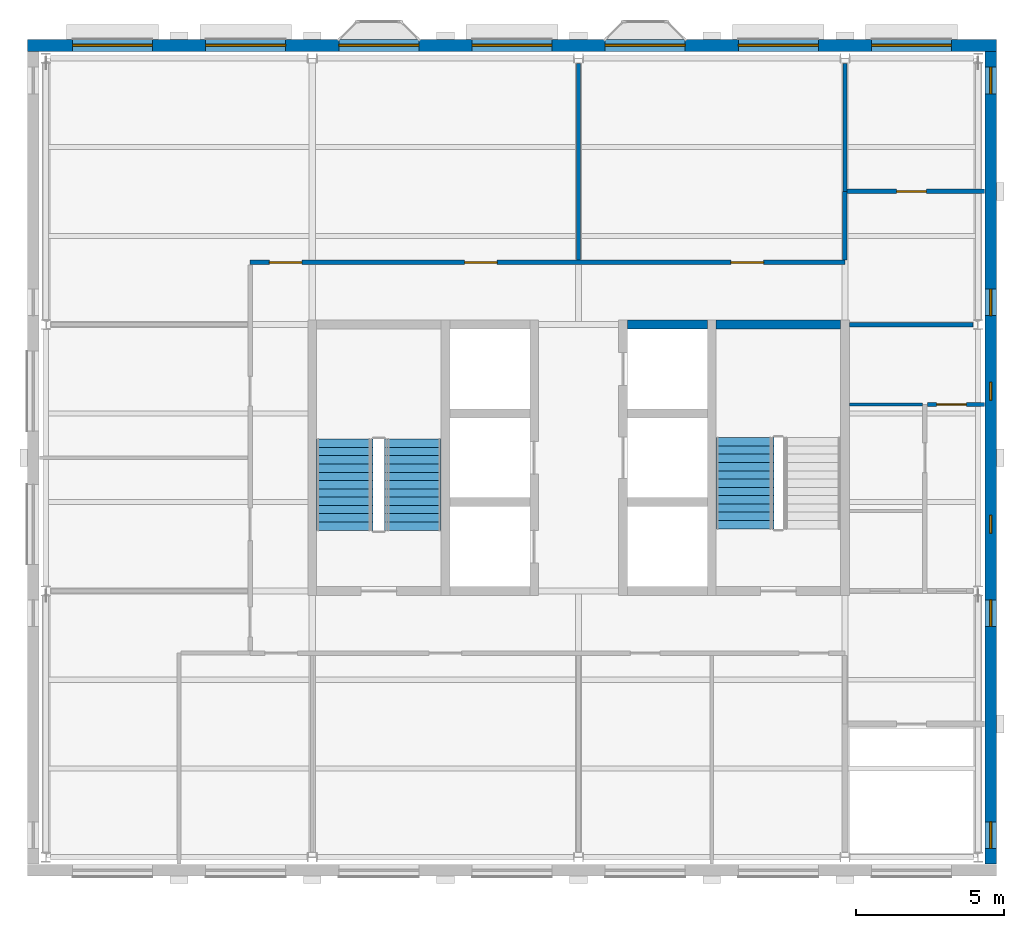
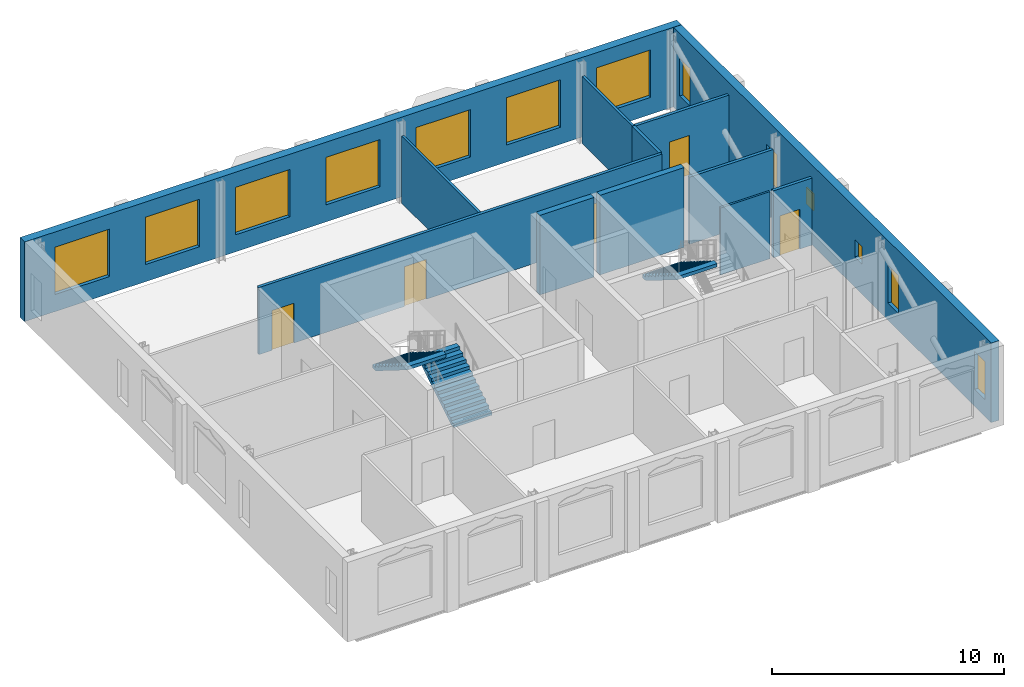
# One storey, part 5 of 9: 13 windows, 12 walls, 5 doors, 3 stair flights, 18 openings, 2 elements without a shape of their own.
"""IFC4 building model written with IfcOpenShell, lengths in metres."""

import ifcopenshell
import ifcopenshell.guid

model = None  # the IFC model being written
_history = None  # IfcOwnerHistory: only IFC2X3 demands one
_inside = {}  # id of a spatial element -> (the spatial element, [elements in it])
_under = {}  # id of a project, library or spatial element -> (it, [spatial elements below it])
_declared = {}  # id of a project -> (the project, [libraries it declares])
_typed = {}  # id of a type object -> (the type object, [elements of that type])
_made_of = {}  # id of a material, layer set ... -> (it, [elements and type objects made of it])


def new_model(schema):
    """Start an empty IFC model of exactly this schema.

    Asked for "IFC4X3", IfcOpenShell would pick the latest addendum, in which some entities
    have other attributes; the version numbers below select the first issue.
    IFC2X3 requires an IfcOwnerHistory on every rooted entity: one is made here for all.
    """
    global model, _history
    if schema == "IFC4X3":
        model = ifcopenshell.file(schema_version=(4, 3, 0, 0))
    else:
        model = ifcopenshell.file(schema=schema)
    _inside.clear()
    _under.clear()
    _declared.clear()
    _typed.clear()
    _made_of.clear()
    _history = None
    if model.schema == "IFC2X3":
        org = make("IfcOrganization", Name="unknown")
        user = make(
            "IfcPersonAndOrganization",
            ThePerson=make("IfcPerson", FamilyName="unknown"),
            TheOrganization=org,
        )
        app = make(
            "IfcApplication",
            ApplicationDeveloper=org,
            Version="unknown",
            ApplicationFullName="unknown",
            ApplicationIdentifier="unknown",
        )
        _history = make(
            "IfcOwnerHistory",
            OwningUser=user,
            OwningApplication=app,
            ChangeAction="ADDED",
            CreationDate=0,
        )
    return model


def make(cls, **values):
    """One entity of the class cls with the attributes given. An attribute that is None is left unset."""
    return model.create_entity(
        cls, **{name: value for name, value in values.items() if value is not None}
    )


def rooted(cls, **values):
    """An entity with a GlobalId (a new one), such as an element, a storey or a relation."""
    return make(cls, GlobalId=ifcopenshell.guid.new(), OwnerHistory=_history, **values)


def si_unit(unit_type, name, prefix=None):
    """IfcSIUnit, for example si_unit("LENGTHUNIT", "METRE", prefix="MILLI")."""
    return make("IfcSIUnit", UnitType=unit_type, Prefix=prefix, Name=name)


def assignment(units):
    """IfcUnitAssignment: the units of a project."""
    return None if units is None else make("IfcUnitAssignment", Units=units)


def point(xyz):
    """IfcCartesianPoint."""
    return None if xyz is None else make("IfcCartesianPoint", Coordinates=xyz)


def direction(xyz):
    """IfcDirection."""
    return None if xyz is None else make("IfcDirection", DirectionRatios=xyz)


def frame(location, z_axis=None, x_axis=None):
    """IfcAxis2Placement3D, a coordinate frame: its origin and axes. An axis left out is left unset."""
    return make(
        "IfcAxis2Placement3D",
        Location=point(location),
        Axis=direction(z_axis),
        RefDirection=direction(x_axis),
    )


def frame_2d(location, x_axis=None):
    """IfcAxis2Placement2D, a coordinate frame in the plane: its origin and x axis."""
    return make(
        "IfcAxis2Placement2D", Location=point(location), RefDirection=direction(x_axis)
    )


def origin():
    """The frame at (0, 0, 0) with its axes left unset."""
    return frame((0.0, 0.0, 0.0))


def place(relative_to, where):
    """IfcLocalPlacement: puts the frame where relative to a parent placement (None: the world)."""
    return make(
        "IfcLocalPlacement", PlacementRelTo=relative_to, RelativePlacement=where
    )


def context(
    kind, dimensions, precision=None, world=None, true_north=None, identifier=None
):
    """IfcGeometricRepresentationContext, for example the 3D "Model" context."""
    return make(
        "IfcGeometricRepresentationContext",
        ContextIdentifier=identifier,
        ContextType=kind,
        CoordinateSpaceDimension=dimensions,
        Precision=precision,
        WorldCoordinateSystem=world,
        TrueNorth=true_north,
    )


def subcontext(parent, identifier, kind, view, scale=None):
    """IfcGeometricRepresentationSubContext, for example "Body" below "Model"."""
    return make(
        "IfcGeometricRepresentationSubContext",
        ContextIdentifier=identifier,
        ContextType=kind,
        ParentContext=parent,
        TargetScale=scale,
        TargetView=view,
    )


def project(units=None, contexts=None):
    """IfcProject with its units and contexts."""
    return rooted(
        "IfcProject",
        Name="project",
        RepresentationContexts=contexts,
        UnitsInContext=assignment(units),
    )


def spatial(cls, under=None, at=None, **own):
    """A site, building, storey or space (cls), placed at a placement, below another one or the project."""
    s = rooted(cls, ObjectPlacement=at, **own)
    if under is not None:
        _under.setdefault(under.id(), (under, []))[1].append(s)
    return s


def polyline(points):
    """IfcPolyline through the points."""
    return make("IfcPolyline", Points=[point(p) for p in points])


def profile(cls, at=None, kind="AREA", **sizes):
    """A parametric profile (cls). Its sizes go by their IFC names, for example OverallWidth=200.0."""
    return make(cls, ProfileType=kind, Position=at, **sizes)


def rectangle(**sizes):
    """IfcRectangleProfileDef."""
    return profile("IfcRectangleProfileDef", **sizes)


def outline(outer, holes=None, kind="AREA"):
    """IfcArbitraryClosedProfileDef: a profile drawn as a closed curve; with holes, ...WithVoids."""
    if holes is None:
        return make("IfcArbitraryClosedProfileDef", ProfileType=kind, OuterCurve=outer)
    return make(
        "IfcArbitraryProfileDefWithVoids",
        ProfileType=kind,
        OuterCurve=outer,
        InnerCurves=holes,
    )


def extrude(swept, where, along, depth):
    """IfcExtrudedAreaSolid: the profile swept, set in the frame where, extruded along a direction by depth."""
    return make(
        "IfcExtrudedAreaSolid",
        SweptArea=swept,
        Position=where,
        ExtrudedDirection=direction(along),
        Depth=depth,
    )


def shape(context_of_items, identifier, shape_type, items):
    """IfcShapeRepresentation: the items that make up one representation, for example the "Body"."""
    return make(
        "IfcShapeRepresentation",
        ContextOfItems=context_of_items,
        RepresentationIdentifier=identifier,
        RepresentationType=shape_type,
        Items=items,
    )


def material(Name=None, Category=None):
    """IfcMaterial."""
    return make("IfcMaterial", Name=Name, Category=Category)


def layer(
    of_material, thickness, ventilated=None, Name=None, Category=None, Priority=None
):
    """IfcMaterialLayer: one layer of a wall or slab, of a material (None: an air gap)."""
    return make(
        "IfcMaterialLayer",
        Material=of_material,
        LayerThickness=thickness,
        IsVentilated=ventilated,
        Name=Name,
        Category=Category,
        Priority=Priority,
    )


def layer_set(layers, Name=None):
    """IfcMaterialLayerSet."""
    return make("IfcMaterialLayerSet", MaterialLayers=layers, LayerSetName=Name)


def made_of(thing, what):
    """Note that an element or type object is made of a material, layer set ...; save() writes the relation."""
    if what is not None:
        _made_of.setdefault(what.id(), (what, []))[1].append(thing)
    return thing


def type_object(cls, material=None, **own):
    """A type object (cls), such as IfcWallType, which elements share."""
    return made_of(rooted(cls, **own), material)


def element(
    cls,
    number,
    at=None,
    inside=None,
    cuts=None,
    type_object=None,
    material=None,
    context=None,
    identifier="Body",
    shape_type=None,
    held_by="IfcProductDefinitionShape",
    body=None,
    shapes=None,
    **own,
):
    """One element of the class cls, such as IfcWall. Its Tag is "e" and its number.

    at: its placement. inside: the storey or other place that contains it. cuts: it is an
    opening in that element (IfcRelVoidsElement). A single representation is given by context,
    identifier, shape_type and body (its items); several are given by shapes. held_by: the class
    of the entity that holds the representations. save() writes the other relations.
    """
    e = rooted(cls, Tag="e%d" % number, ObjectPlacement=at, **own)
    if body is not None:
        shapes = [shape(context, identifier, shape_type, body)]
    if shapes is not None:
        e.Representation = make(held_by, Representations=shapes)
    if inside is not None:
        _inside.setdefault(inside.id(), (inside, []))[1].append(e)
    if cuts is not None:
        rooted(
            "IfcRelVoidsElement", RelatingBuildingElement=cuts, RelatedOpeningElement=e
        )
    if type_object is not None:
        _typed.setdefault(type_object.id(), (type_object, []))[1].append(e)
    return made_of(e, material)


def fill(opening, filler):
    """IfcRelFillsElement: the door or window that sits in an opening."""
    return rooted(
        "IfcRelFillsElement",
        RelatingOpeningElement=opening,
        RelatedBuildingElement=filler,
    )


def aggregate(whole, parts):
    """IfcRelAggregates: a whole, such as a stair, and the parts it consists of."""
    return rooted("IfcRelAggregates", RelatingObject=whole, RelatedObjects=parts)


def save(model, path):
    """Write the relations noted so far, then the file.

    IfcRelAggregates (storeys below a building ...), IfcRelContainedInSpatialStructure (elements
    in a storey), IfcRelDefinesByType, IfcRelAssociatesMaterial and IfcRelDeclares: one each for
    every whole, place, type object, material and project.
    """
    for whole, parts in _under.values():
        aggregate(whole, parts)
    for where, things in _inside.values():
        rooted(
            "IfcRelContainedInSpatialStructure",
            RelatedElements=things,
            RelatingStructure=where,
        )
    for kind, things in _typed.values():
        rooted("IfcRelDefinesByType", RelatedObjects=things, RelatingType=kind)
    for what, things in _made_of.values():
        rooted("IfcRelAssociatesMaterial", RelatedObjects=things, RelatingMaterial=what)
    for by, libraries in _declared.values():
        rooted("IfcRelDeclares", RelatingContext=by, RelatedDefinitions=libraries)
    model.write(path)


model = new_model("IFC4")

# Units and contexts
model_context = context("Model", 3, precision=1e-05, world=origin(), true_north=direction((0.0, 1.0)))
body_context = subcontext(model_context, "Body", "Model", "MODEL_VIEW")
ifc_project = project(units=[si_unit("LENGTHUNIT", "METRE"), si_unit("AREAUNIT", "SQUARE_METRE"), si_unit("VOLUMEUNIT", "CUBIC_METRE"), si_unit("PLANEANGLEUNIT", "RADIAN"), si_unit("MASSUNIT", "GRAM", prefix="KILO")], contexts=[model_context])

# Site, building, storey
site_placement = place(None, origin())
site = spatial("IfcSite", under=ifc_project, at=site_placement, CompositionType="ELEMENT")
building_placement = place(site_placement, origin())
building = spatial("IfcBuilding", under=site, at=building_placement, Name="Hortulan Conservatory and Botanical Research Centre", CompositionType="ELEMENT")
storey_placement = place(building_placement, frame((0.0, 0.0, 40.199951171875)))
storey = spatial("IfcBuildingStorey", under=building, at=storey_placement, Name="L09", CompositionType="ELEMENT", Elevation=40.199951171875)

# Walls
ifc_material_1 = material(Name="Concrete N40 (40 MPa, AS 3600)", Category="concrete")
ifc_layer_1 = layer(ifc_material_1, 0.300048828125)
ifc_layer_set_1 = layer_set([ifc_layer_1], Name="Core Wall 300 N40 FRL 240/120/120")
wall_type_1 = type_object("IfcWallType", Name="Core Wall 300 N40 FRL 240/120/120", PredefinedType="SHEAR", material=ifc_layer_set_1)
wall_1_placement = place(storey_placement, frame((19.64990234375, 18.0, 0.0), z_axis=(0.0, 0.0, 1.0), x_axis=(1.0, 0.0, 0.0)))
element("IfcWall", 1, at=wall_1_placement, inside=storey, type_object=wall_type_1, Name="Reinforced concrete shaft wall", PredefinedType="SHEAR", context=body_context, shape_type="SweptSolid", body=[
    extrude(rectangle(XDim=2.7001953125, YDim=0.300048828125, at=frame_2d((1.35009765625, 0.0))), origin(), (0.0, 0.0, 1.0), 4.199951171875),
])
wall_2_placement = place(storey_placement, frame((22.64990234375, 18.0, 0.0), z_axis=(0.0, 0.0, 1.0), x_axis=(1.0, 0.0, 0.0)))
element("IfcWall", 2, at=wall_2_placement, inside=storey, type_object=wall_type_1, Name="Reinforced concrete shaft wall", PredefinedType="SHEAR", context=body_context, shape_type="SweptSolid", body=[
    extrude(rectangle(XDim=4.2001953125, YDim=0.300048828125, at=frame_2d((2.10009765625, 0.0))), origin(), (0.0, 0.0, 1.0), 4.199951171875),
])
ifc_material_2 = material(Name="Plasterboard on steel studs", Category="steel")
ifc_layer_2 = layer(ifc_material_2, 0.14990234375)
ifc_layer_set_2 = layer_set([ifc_layer_2], Name="Corridor Partition 150")
wall_type_2 = type_object("IfcWallType", Name="Corridor Partition 150", PredefinedType="PARTITIONING", material=ifc_layer_set_2)
wall_3_placement = place(storey_placement, frame((27.0, 20.18505859375, 0.0), z_axis=(0.0, 0.0, 1.0), x_axis=(0.0, 1.0, 0.0)))
element("IfcWall", 3, at=wall_3_placement, inside=storey, type_object=wall_type_2, Name="Corridor partition", PredefinedType="PARTITIONING", context=body_context, shape_type="SweptSolid", body=[
    extrude(rectangle(XDim=2.304931640625, YDim=0.14990234375, at=frame_2d((1.15234375, 0.0))), origin(), (0.0, 0.0, 1.0), 3.537109375),
])
wall_4_placement = place(storey_placement, frame((27.159912109375, 18.0, 0.0), z_axis=(0.0, 0.0, 1.0), x_axis=(1.0, 0.0, 0.0)))
element("IfcWall", 4, at=wall_4_placement, inside=storey, type_object=wall_type_2, Name="Corridor partition", PredefinedType="PARTITIONING", context=body_context, shape_type="SweptSolid", body=[
    extrude(rectangle(XDim=4.174560546875, YDim=0.14990234375, at=frame_2d((2.08740234375, 0.0))), origin(), (0.0, 0.0, 1.0), 3.537109375),
])

# Wall, openings, doors
wall_5_placement = place(storey_placement, frame((6.89990234375, 20.10009765625, 0.0), z_axis=(0.0, 0.0, 1.0), x_axis=(1.0, 0.0, 0.0)))
wall_5 = element("IfcWall", 5, at=wall_5_placement, inside=storey, type_object=wall_type_2, Name="Corridor partition", PredefinedType="PARTITIONING", context=body_context, shape_type="SweptSolid", body=[
    extrude(rectangle(XDim=20.10009765625, YDim=0.14990234375, at=frame_2d((10.050048828125, 0.0))), origin(), (0.0, 0.0, 1.0), 3.537109375),
])
opening_1_placement = place(wall_5_placement, frame((7.25, 0.0, 0.0)))
opening_1 = element("IfcOpeningElement", 6, at=opening_1_placement, cuts=wall_5, Name="Opening DT3", PredefinedType="OPENING", context=body_context, shape_type="SweptSolid", body=[
    extrude(rectangle(XDim=1.10009765625, YDim=2.10009765625, at=frame_2d((0.550048828125, 1.050048828125))), frame((0.0, 0.0849609375, 0.0), z_axis=(0.0, -1.0, 0.0), x_axis=(1.0, 0.0, 0.0)), (0.0, 0.0, 1.0), 0.169921875),
])
opening_2_placement = place(wall_5_placement, frame((0.64990234375, 0.0, 0.0)))
opening_2 = element("IfcOpeningElement", 7, at=opening_2_placement, cuts=wall_5, Name="Opening DT3", PredefinedType="OPENING", context=body_context, shape_type="SweptSolid", body=[
    extrude(rectangle(XDim=1.10009765625, YDim=2.10009765625, at=frame_2d((0.550048828125, 1.050048828125))), frame((0.0, 0.0849609375, 0.0), z_axis=(0.0, -1.0, 0.0), x_axis=(1.0, 0.0, 0.0)), (0.0, 0.0, 1.0), 0.169921875),
])
opening_3_placement = place(wall_5_placement, frame((16.25, 0.0, 0.0)))
opening_3 = element("IfcOpeningElement", 8, at=opening_3_placement, cuts=wall_5, Name="Opening DT3", PredefinedType="OPENING", context=body_context, shape_type="SweptSolid", body=[
    extrude(rectangle(XDim=1.10009765625, YDim=2.10009765625, at=frame_2d((0.550048828125, 1.050048828125))), frame((0.0, 0.0849609375, 0.0), z_axis=(0.0, -1.0, 0.0), x_axis=(1.0, 0.0, 0.0)), (0.0, 0.0, 1.0), 0.169921875),
])
ifc_material_3 = material(Name="Timber door leaf with vision panel", Category="wood")
door_type_1 = type_object("IfcDoorType", Name="Laboratory Door 1100x2100", OperationType="NOTDEFINED", PredefinedType="DOOR", material=ifc_material_3)
door_1_placement = place(opening_1_placement, origin())
door_1 = element("IfcDoor", 9, at=door_1_placement, inside=storey, type_object=door_type_1, Name="Door DT3 Phytochemistry Laboratory", OperationType="SINGLE_SWING_RIGHT", OverallHeight=2.10009765625, OverallWidth=1.10009765625, PredefinedType="DOOR", context=body_context, shape_type="SweptSolid", body=[
    extrude(rectangle(XDim=1.10009765625, YDim=2.10009765625, at=frame_2d((0.550048828125, 1.050048828125))), frame((0.0, 0.02490234375, 0.0), z_axis=(0.0, -1.0, 0.0), x_axis=(1.0, 0.0, 0.0)), (0.0, 0.0, 1.0), 0.050048828125),
])
fill(opening_1, door_1)
door_2_placement = place(opening_2_placement, origin())
door_2 = element("IfcDoor", 10, at=door_2_placement, inside=storey, type_object=door_type_1, Name="Door DT3 Phytochemistry Laboratory", OperationType="SINGLE_SWING_LEFT", OverallHeight=2.10009765625, OverallWidth=1.10009765625, PredefinedType="DOOR", context=body_context, shape_type="SweptSolid", body=[
    extrude(rectangle(XDim=1.10009765625, YDim=2.10009765625, at=frame_2d((0.550048828125, 1.050048828125))), frame((0.0, 0.02490234375, 0.0), z_axis=(0.0, -1.0, 0.0), x_axis=(1.0, 0.0, 0.0)), (0.0, 0.0, 1.0), 0.050048828125),
])
fill(opening_2, door_2)
door_3_placement = place(opening_3_placement, origin())
door_3 = element("IfcDoor", 11, at=door_3_placement, inside=storey, type_object=door_type_1, Name="Door DT3 Ecology Laboratory", OperationType="SINGLE_SWING_RIGHT", OverallHeight=2.10009765625, OverallWidth=1.10009765625, PredefinedType="DOOR", context=body_context, shape_type="SweptSolid", body=[
    extrude(rectangle(XDim=1.10009765625, YDim=2.10009765625, at=frame_2d((0.550048828125, 1.050048828125))), frame((0.0, 0.02490234375, 0.0), z_axis=(0.0, -1.0, 0.0), x_axis=(1.0, 0.0, 0.0)), (0.0, 0.0, 1.0), 0.050048828125),
])
fill(opening_3, door_3)

# Wall, opening, door
wall_6_placement = place(storey_placement, frame((27.072509765625, 22.5, 0.0), z_axis=(0.0, 0.0, 1.0), x_axis=(1.0, 0.0, 0.0)))
wall_6 = element("IfcWall", 12, at=wall_6_placement, inside=storey, type_object=wall_type_2, Name="Corridor partition", PredefinedType="PARTITIONING", context=body_context, shape_type="SweptSolid", body=[
    extrude(rectangle(XDim=4.642578125, YDim=0.14990234375, at=frame_2d((2.3212890625, 0.0))), origin(), (0.0, 0.0, 1.0), 3.537109375),
])
opening_4_placement = place(wall_6_placement, frame((1.677490234375, 0.0, 0.0)))
opening_4 = element("IfcOpeningElement", 13, at=opening_4_placement, cuts=wall_6, Name="Opening DT1", PredefinedType="OPENING", context=body_context, shape_type="SweptSolid", body=[
    extrude(rectangle(XDim=1.0, YDim=2.10009765625, at=frame_2d((0.5, 1.050048828125))), frame((0.0, 0.0849609375, 0.0), z_axis=(0.0, -1.0, 0.0), x_axis=(1.0, 0.0, 0.0)), (0.0, 0.0, 1.0), 0.169921875),
])
ifc_material_4 = material(Name="Timber door leaf in timber frame", Category="wood")
door_type_2 = type_object("IfcDoorType", Name="Single Door 1000x2100", OperationType="NOTDEFINED", PredefinedType="DOOR", material=ifc_material_4)
door_4_placement = place(opening_4_placement, origin())
door_4 = element("IfcDoor", 14, at=door_4_placement, inside=storey, type_object=door_type_2, Name="Door DT1 Equipment Store", OperationType="SINGLE_SWING_LEFT", OverallHeight=2.10009765625, OverallWidth=1.0, PredefinedType="DOOR", context=body_context, shape_type="SweptSolid", body=[
    extrude(rectangle(XDim=1.0, YDim=2.10009765625, at=frame_2d((0.5, 1.050048828125))), frame((0.0, 0.02490234375, 0.0), z_axis=(0.0, -1.0, 0.0), x_axis=(1.0, 0.0, 0.0)), (0.0, 0.0, 1.0), 0.050048828125),
])
fill(opening_4, door_4)

# Wall, openings, windows
ifc_material_5 = material(Name="Faience-faced brickwork masonry", Category="masonry")
ifc_layer_3 = layer(ifc_material_5, 0.39990234375)
ifc_layer_set_3 = layer_set([ifc_layer_3], Name="Faience-faced Masonry Cavity Wall 400")
wall_type_3 = type_object("IfcWallType", Name="Faience-faced Masonry Cavity Wall 400", PredefinedType="STANDARD", material=ifc_layer_set_3)
wall_7_placement = place(storey_placement, frame((-0.625, 27.43603515625, 0.0), z_axis=(0.0, 0.0, 1.0), x_axis=(1.0, 0.0, 0.0)))
wall_7 = element("IfcWall", 15, at=wall_7_placement, inside=storey, type_object=wall_type_3, Name="E-EW-TW-L09-N3", PredefinedType="STANDARD", context=body_context, shape_type="SweptSolid", body=[
    extrude(rectangle(XDim=32.75, YDim=0.39990234375, at=frame_2d((16.375, 0.0))), origin(), (0.0, 0.0, 1.0), 4.199951171875),
])
opening_5_placement = place(wall_7_placement, frame((1.52490234375, 0.0, 0.89990234375)))
opening_5 = element("IfcOpeningElement", 16, at=opening_5_placement, cuts=wall_7, Name="Opening W4", PredefinedType="OPENING", context=body_context, shape_type="SweptSolid", body=[
    extrude(rectangle(XDim=2.699951171875, YDim=2.5, at=frame_2d((1.35009765625, 1.25))), frame((0.0, 0.2099609375, 0.0), z_axis=(0.0, -1.0, 0.0), x_axis=(1.0, 0.0, 0.0)), (0.0, 0.0, 1.0), 0.419921875),
])
opening_6_placement = place(wall_7_placement, frame((6.02490234375, 0.0, 0.89990234375)))
opening_6 = element("IfcOpeningElement", 17, at=opening_6_placement, cuts=wall_7, Name="Opening W4", PredefinedType="OPENING", context=body_context, shape_type="SweptSolid", body=[
    extrude(rectangle(XDim=2.699951171875, YDim=2.5, at=frame_2d((1.35009765625, 1.25))), frame((0.0, 0.2099609375, 0.0), z_axis=(0.0, -1.0, 0.0), x_axis=(1.0, 0.0, 0.0)), (0.0, 0.0, 1.0), 0.419921875),
])
opening_7_placement = place(wall_7_placement, frame((10.52490234375, 0.0, 0.89990234375)))
opening_7 = element("IfcOpeningElement", 18, at=opening_7_placement, cuts=wall_7, Name="Opening W4", PredefinedType="OPENING", context=body_context, shape_type="SweptSolid", body=[
    extrude(rectangle(XDim=2.699951171875, YDim=2.5, at=frame_2d((1.35009765625, 1.25))), frame((0.0, 0.2099609375, 0.0), z_axis=(0.0, -1.0, 0.0), x_axis=(1.0, 0.0, 0.0)), (0.0, 0.0, 1.0), 0.419921875),
])
opening_8_placement = place(wall_7_placement, frame((15.02490234375, 0.0, 0.89990234375)))
opening_8 = element("IfcOpeningElement", 19, at=opening_8_placement, cuts=wall_7, Name="Opening W4", PredefinedType="OPENING", context=body_context, shape_type="SweptSolid", body=[
    extrude(rectangle(XDim=2.699951171875, YDim=2.5, at=frame_2d((1.35009765625, 1.25))), frame((0.0, 0.2099609375, 0.0), z_axis=(0.0, -1.0, 0.0), x_axis=(1.0, 0.0, 0.0)), (0.0, 0.0, 1.0), 0.419921875),
])
opening_9_placement = place(wall_7_placement, frame((19.52490234375, 0.0, 0.89990234375)))
opening_9 = element("IfcOpeningElement", 20, at=opening_9_placement, cuts=wall_7, Name="Opening W4", PredefinedType="OPENING", context=body_context, shape_type="SweptSolid", body=[
    extrude(rectangle(XDim=2.699951171875, YDim=2.5, at=frame_2d((1.35009765625, 1.25))), frame((0.0, 0.2099609375, 0.0), z_axis=(0.0, -1.0, 0.0), x_axis=(1.0, 0.0, 0.0)), (0.0, 0.0, 1.0), 0.419921875),
])
opening_10_placement = place(wall_7_placement, frame((24.02490234375, 0.0, 0.89990234375)))
opening_10 = element("IfcOpeningElement", 21, at=opening_10_placement, cuts=wall_7, Name="Opening W4", PredefinedType="OPENING", context=body_context, shape_type="SweptSolid", body=[
    extrude(rectangle(XDim=2.699951171875, YDim=2.5, at=frame_2d((1.35009765625, 1.25))), frame((0.0, 0.2099609375, 0.0), z_axis=(0.0, -1.0, 0.0), x_axis=(1.0, 0.0, 0.0)), (0.0, 0.0, 1.0), 0.419921875),
])
opening_11_placement = place(wall_7_placement, frame((28.52490234375, 0.0, 0.89990234375)))
opening_11 = element("IfcOpeningElement", 22, at=opening_11_placement, cuts=wall_7, Name="Opening W4", PredefinedType="OPENING", context=body_context, shape_type="SweptSolid", body=[
    extrude(rectangle(XDim=2.699951171875, YDim=2.5, at=frame_2d((1.35009765625, 1.25))), frame((0.0, 0.2099609375, 0.0), z_axis=(0.0, -1.0, 0.0), x_axis=(1.0, 0.0, 0.0)), (0.0, 0.0, 1.0), 0.419921875),
])
ifc_material_6 = material(Name="Bronze-finished aluminium frame with low-e laminated double glazing", Category="aluminium")
window_type_1 = type_object("IfcWindowType", Name="Faience Window 2700x2500", PartitioningType="SINGLE_PANEL", PredefinedType="WINDOW", material=ifc_material_6)
window_1_placement = place(opening_5_placement, origin())
window_1 = element("IfcWindow", 23, at=window_1_placement, inside=storey, type_object=window_type_1, Name="Faience window", OverallHeight=2.5, OverallWidth=2.699951171875, PartitioningType="SINGLE_PANEL", PredefinedType="WINDOW", context=body_context, shape_type="SweptSolid", body=[
    extrude(rectangle(XDim=2.699951171875, YDim=2.5, at=frame_2d((1.35009765625, 1.25))), frame((0.0, 0.030029296875, 0.0), z_axis=(0.0, -1.0, 0.0), x_axis=(1.0, 0.0, 0.0)), (0.0, 0.0, 1.0), 0.06005859375),
])
fill(opening_5, window_1)
window_2_placement = place(opening_6_placement, origin())
window_2 = element("IfcWindow", 24, at=window_2_placement, inside=storey, type_object=window_type_1, Name="Faience window", OverallHeight=2.5, OverallWidth=2.699951171875, PartitioningType="SINGLE_PANEL", PredefinedType="WINDOW", context=body_context, shape_type="SweptSolid", body=[
    extrude(rectangle(XDim=2.699951171875, YDim=2.5, at=frame_2d((1.35009765625, 1.25))), frame((0.0, 0.030029296875, 0.0), z_axis=(0.0, -1.0, 0.0), x_axis=(1.0, 0.0, 0.0)), (0.0, 0.0, 1.0), 0.06005859375),
])
fill(opening_6, window_2)
window_3_placement = place(opening_7_placement, origin())
window_3 = element("IfcWindow", 25, at=window_3_placement, inside=storey, type_object=window_type_1, Name="Faience window", OverallHeight=2.5, OverallWidth=2.699951171875, PartitioningType="SINGLE_PANEL", PredefinedType="WINDOW", context=body_context, shape_type="SweptSolid", body=[
    extrude(rectangle(XDim=2.699951171875, YDim=2.5, at=frame_2d((1.35009765625, 1.25))), frame((0.0, 0.030029296875, 0.0), z_axis=(0.0, -1.0, 0.0), x_axis=(1.0, 0.0, 0.0)), (0.0, 0.0, 1.0), 0.06005859375),
])
fill(opening_7, window_3)
window_4_placement = place(opening_8_placement, origin())
window_4 = element("IfcWindow", 26, at=window_4_placement, inside=storey, type_object=window_type_1, Name="Faience window", OverallHeight=2.5, OverallWidth=2.699951171875, PartitioningType="SINGLE_PANEL", PredefinedType="WINDOW", context=body_context, shape_type="SweptSolid", body=[
    extrude(rectangle(XDim=2.699951171875, YDim=2.5, at=frame_2d((1.35009765625, 1.25))), frame((0.0, 0.030029296875, 0.0), z_axis=(0.0, -1.0, 0.0), x_axis=(1.0, 0.0, 0.0)), (0.0, 0.0, 1.0), 0.06005859375),
])
fill(opening_8, window_4)
window_5_placement = place(opening_9_placement, origin())
window_5 = element("IfcWindow", 27, at=window_5_placement, inside=storey, type_object=window_type_1, Name="Faience window", OverallHeight=2.5, OverallWidth=2.699951171875, PartitioningType="SINGLE_PANEL", PredefinedType="WINDOW", context=body_context, shape_type="SweptSolid", body=[
    extrude(rectangle(XDim=2.699951171875, YDim=2.5, at=frame_2d((1.35009765625, 1.25))), frame((0.0, 0.030029296875, 0.0), z_axis=(0.0, -1.0, 0.0), x_axis=(1.0, 0.0, 0.0)), (0.0, 0.0, 1.0), 0.06005859375),
])
fill(opening_9, window_5)
window_6_placement = place(opening_10_placement, origin())
window_6 = element("IfcWindow", 28, at=window_6_placement, inside=storey, type_object=window_type_1, Name="Faience window", OverallHeight=2.5, OverallWidth=2.699951171875, PartitioningType="SINGLE_PANEL", PredefinedType="WINDOW", context=body_context, shape_type="SweptSolid", body=[
    extrude(rectangle(XDim=2.699951171875, YDim=2.5, at=frame_2d((1.35009765625, 1.25))), frame((0.0, 0.030029296875, 0.0), z_axis=(0.0, -1.0, 0.0), x_axis=(1.0, 0.0, 0.0)), (0.0, 0.0, 1.0), 0.06005859375),
])
fill(opening_10, window_6)
window_7_placement = place(opening_11_placement, origin())
window_7 = element("IfcWindow", 29, at=window_7_placement, inside=storey, type_object=window_type_1, Name="Faience window", OverallHeight=2.5, OverallWidth=2.699951171875, PartitioningType="SINGLE_PANEL", PredefinedType="WINDOW", context=body_context, shape_type="SweptSolid", body=[
    extrude(rectangle(XDim=2.699951171875, YDim=2.5, at=frame_2d((1.35009765625, 1.25))), frame((0.0, 0.030029296875, 0.0), z_axis=(0.0, -1.0, 0.0), x_axis=(1.0, 0.0, 0.0)), (0.0, 0.0, 1.0), 0.06005859375),
])
fill(opening_11, window_7)

wall_8_placement = place(storey_placement, frame((31.925048828125, 27.22509765625, 0.0), z_axis=(0.0, 0.0, 1.0), x_axis=(0.0, -1.0, 0.0)))
wall_8 = element("IfcWall", 30, at=wall_8_placement, inside=storey, type_object=wall_type_3, Name="E-EW-TW-L09-E4", PredefinedType="STANDARD", context=body_context, shape_type="SweptSolid", body=[
    extrude(rectangle(XDim=27.4501953125, YDim=0.39990234375, at=frame_2d((13.72509765625, 0.0))), origin(), (0.0, 0.0, 1.0), 4.199951171875),
])
opening_12_placement = place(wall_8_placement, frame((26.02490234375, 0.0, 0.89990234375)))
opening_12 = element("IfcOpeningElement", 31, at=opening_12_placement, cuts=wall_8, Name="Opening W5", PredefinedType="OPENING", context=body_context, shape_type="SweptSolid", body=[
    extrude(rectangle(XDim=0.89990234375, YDim=2.0, at=frame_2d((0.449951171875, 1.0))), frame((0.0, 0.2099609375, 0.0), z_axis=(0.0, -1.0, 0.0), x_axis=(1.0, 0.0, 0.0)), (0.0, 0.0, 1.0), 0.419921875),
])
opening_13_placement = place(wall_8_placement, frame((18.52490234375, 0.0, 0.89990234375)))
opening_13 = element("IfcOpeningElement", 32, at=opening_13_placement, cuts=wall_8, Name="Opening W5", PredefinedType="OPENING", context=body_context, shape_type="SweptSolid", body=[
    extrude(rectangle(XDim=0.89990234375, YDim=2.0, at=frame_2d((0.449951171875, 1.0))), frame((0.0, 0.2099609375, 0.0), z_axis=(0.0, -1.0, 0.0), x_axis=(1.0, 0.0, 0.0)), (0.0, 0.0, 1.0), 0.419921875),
])
opening_14_placement = place(wall_8_placement, frame((15.675048828125, 0.0, 1.60009765625)))
opening_14 = element("IfcOpeningElement", 33, at=opening_14_placement, cuts=wall_8, Name="Opening W3", PredefinedType="OPENING", context=body_context, shape_type="SweptSolid", body=[
    extrude(rectangle(XDim=0.60009765625, YDim=0.89990234375, at=frame_2d((0.300048828125, 0.449951171875))), frame((0.0, 0.2099609375, 0.0), z_axis=(0.0, -1.0, 0.0), x_axis=(1.0, 0.0, 0.0)), (0.0, 0.0, 1.0), 0.419921875),
])
opening_15_placement = place(wall_8_placement, frame((11.175048828125, 0.0, 1.60009765625)))
opening_15 = element("IfcOpeningElement", 34, at=opening_15_placement, cuts=wall_8, Name="Opening W3", PredefinedType="OPENING", context=body_context, shape_type="SweptSolid", body=[
    extrude(rectangle(XDim=0.60009765625, YDim=0.89990234375, at=frame_2d((0.300048828125, 0.449951171875))), frame((0.0, 0.2099609375, 0.0), z_axis=(0.0, -1.0, 0.0), x_axis=(1.0, 0.0, 0.0)), (0.0, 0.0, 1.0), 0.419921875),
])
opening_16_placement = place(wall_8_placement, frame((8.02490234375, 0.0, 0.89990234375)))
opening_16 = element("IfcOpeningElement", 35, at=opening_16_placement, cuts=wall_8, Name="Opening W5", PredefinedType="OPENING", context=body_context, shape_type="SweptSolid", body=[
    extrude(rectangle(XDim=0.89990234375, YDim=2.0, at=frame_2d((0.449951171875, 1.0))), frame((0.0, 0.2099609375, 0.0), z_axis=(0.0, -1.0, 0.0), x_axis=(1.0, 0.0, 0.0)), (0.0, 0.0, 1.0), 0.419921875),
])
opening_17_placement = place(wall_8_placement, frame((0.52490234375, 0.0, 0.89990234375)))
opening_17 = element("IfcOpeningElement", 36, at=opening_17_placement, cuts=wall_8, Name="Opening W5", PredefinedType="OPENING", context=body_context, shape_type="SweptSolid", body=[
    extrude(rectangle(XDim=0.89990234375, YDim=2.0, at=frame_2d((0.449951171875, 1.0))), frame((0.0, 0.2099609375, 0.0), z_axis=(0.0, -1.0, 0.0), x_axis=(1.0, 0.0, 0.0)), (0.0, 0.0, 1.0), 0.419921875),
])
window_type_2 = type_object("IfcWindowType", Name="Faience Pier Window 900x2000", PartitioningType="SINGLE_PANEL", PredefinedType="WINDOW", material=ifc_material_6)
window_8_placement = place(opening_12_placement, origin())
window_8 = element("IfcWindow", 37, at=window_8_placement, inside=storey, type_object=window_type_2, Name="Faience Pier window", OverallHeight=2.0, OverallWidth=0.89990234375, PartitioningType="SINGLE_PANEL", PredefinedType="WINDOW", context=body_context, shape_type="SweptSolid", body=[
    extrude(rectangle(XDim=0.89990234375, YDim=2.0, at=frame_2d((0.449951171875, 1.0))), frame((0.0, 0.030029296875, 0.0), z_axis=(0.0, -1.0, 0.0), x_axis=(1.0, 0.0, 0.0)), (0.0, 0.0, 1.0), 0.06005859375),
])
fill(opening_12, window_8)
window_9_placement = place(opening_13_placement, origin())
window_9 = element("IfcWindow", 38, at=window_9_placement, inside=storey, type_object=window_type_2, Name="Faience Pier window", OverallHeight=2.0, OverallWidth=0.89990234375, PartitioningType="SINGLE_PANEL", PredefinedType="WINDOW", context=body_context, shape_type="SweptSolid", body=[
    extrude(rectangle(XDim=0.89990234375, YDim=2.0, at=frame_2d((0.449951171875, 1.0))), frame((0.0, 0.030029296875, 0.0), z_axis=(0.0, -1.0, 0.0), x_axis=(1.0, 0.0, 0.0)), (0.0, 0.0, 1.0), 0.06005859375),
])
fill(opening_13, window_9)
window_10_placement = place(opening_16_placement, origin())
window_10 = element("IfcWindow", 39, at=window_10_placement, inside=storey, type_object=window_type_2, Name="Faience Pier window", OverallHeight=2.0, OverallWidth=0.89990234375, PartitioningType="SINGLE_PANEL", PredefinedType="WINDOW", context=body_context, shape_type="SweptSolid", body=[
    extrude(rectangle(XDim=0.89990234375, YDim=2.0, at=frame_2d((0.449951171875, 1.0))), frame((0.0, 0.030029296875, 0.0), z_axis=(0.0, -1.0, 0.0), x_axis=(1.0, 0.0, 0.0)), (0.0, 0.0, 1.0), 0.06005859375),
])
fill(opening_16, window_10)
window_11_placement = place(opening_17_placement, origin())
window_11 = element("IfcWindow", 40, at=window_11_placement, inside=storey, type_object=window_type_2, Name="Faience Pier window", OverallHeight=2.0, OverallWidth=0.89990234375, PartitioningType="SINGLE_PANEL", PredefinedType="WINDOW", context=body_context, shape_type="SweptSolid", body=[
    extrude(rectangle(XDim=0.89990234375, YDim=2.0, at=frame_2d((0.449951171875, 1.0))), frame((0.0, 0.030029296875, 0.0), z_axis=(0.0, -1.0, 0.0), x_axis=(1.0, 0.0, 0.0)), (0.0, 0.0, 1.0), 0.06005859375),
])
fill(opening_17, window_11)
window_type_3 = type_object("IfcWindowType", Name="Slot Window 600x900", PartitioningType="SINGLE_PANEL", PredefinedType="WINDOW", material=ifc_material_6)
window_12_placement = place(opening_14_placement, origin())
window_12 = element("IfcWindow", 41, at=window_12_placement, inside=storey, type_object=window_type_3, Name="Slot window", OverallHeight=0.89990234375, OverallWidth=0.60009765625, PartitioningType="SINGLE_PANEL", PredefinedType="WINDOW", context=body_context, shape_type="SweptSolid", body=[
    extrude(rectangle(XDim=0.60009765625, YDim=0.89990234375, at=frame_2d((0.300048828125, 0.449951171875))), frame((0.0, 0.030029296875, 0.0), z_axis=(0.0, -1.0, 0.0), x_axis=(1.0, 0.0, 0.0)), (0.0, 0.0, 1.0), 0.06005859375),
])
fill(opening_14, window_12)
window_13_placement = place(opening_15_placement, origin())
window_13 = element("IfcWindow", 42, at=window_13_placement, inside=storey, type_object=window_type_3, Name="Slot window", OverallHeight=0.89990234375, OverallWidth=0.60009765625, PartitioningType="SINGLE_PANEL", PredefinedType="WINDOW", context=body_context, shape_type="SweptSolid", body=[
    extrude(rectangle(XDim=0.60009765625, YDim=0.89990234375, at=frame_2d((0.300048828125, 0.449951171875))), frame((0.0, 0.030029296875, 0.0), z_axis=(0.0, -1.0, 0.0), x_axis=(1.0, 0.0, 0.0)), (0.0, 0.0, 1.0), 0.06005859375),
])
fill(opening_15, window_13)

# Wall, opening, door
ifc_material_7 = material(Name="Fire-rated plasterboard on steel studs", Category="steel")
ifc_layer_4 = layer(ifc_material_7, 0.14990234375)
ifc_layer_set_4 = layer_set([ifc_layer_4], Name="Lobby Partition 150")
wall_type_4 = type_object("IfcWallType", Name="Lobby Partition 150", PredefinedType="PARTITIONING", material=ifc_layer_set_4)
wall_9_placement = place(storey_placement, frame((29.784912109375, 15.300048828125, 0.0), z_axis=(0.0, 0.0, 1.0), x_axis=(1.0, 0.0, 0.0)))
wall_9 = element("IfcWall", 43, at=wall_9_placement, inside=storey, type_object=wall_type_4, Name="Lobby partition", PredefinedType="PARTITIONING", context=body_context, shape_type="SweptSolid", body=[
    extrude(rectangle(XDim=1.93017578125, YDim=0.14990234375, at=frame_2d((0.965087890625, 0.0))), origin(), (0.0, 0.0, 1.0), 3.537109375),
])
opening_18_placement = place(wall_9_placement, frame((0.31494140625, 0.0, 0.0)))
opening_18 = element("IfcOpeningElement", 44, at=opening_18_placement, cuts=wall_9, Name="Opening DT4", PredefinedType="OPENING", context=body_context, shape_type="SweptSolid", body=[
    extrude(rectangle(XDim=1.0, YDim=2.10009765625, at=frame_2d((0.5, 1.050048828125))), frame((0.0, 0.0849609375, 0.0), z_axis=(0.0, -1.0, 0.0), x_axis=(1.0, 0.0, 0.0)), (0.0, 0.0, 1.0), 0.169921875),
])
ifc_material_8 = material(Name="Steel door leaf, insulated", Category="steel")
door_type_3 = type_object("IfcDoorType", Name="Fire Door 1000x2100 FRL -/60/30", OperationType="NOTDEFINED", PredefinedType="DOOR", material=ifc_material_8)
door_5_placement = place(opening_18_placement, origin())
door_5 = element("IfcDoor", 45, at=door_5_placement, inside=storey, type_object=door_type_3, Name="Door DT4 Men's WC", OperationType="SINGLE_SWING_RIGHT", OverallHeight=2.10009765625, OverallWidth=1.0, PredefinedType="DOOR", context=body_context, shape_type="SweptSolid", body=[
    extrude(rectangle(XDim=1.0, YDim=2.10009765625, at=frame_2d((0.5, 1.050048828125))), frame((0.0, 0.02490234375, 0.0), z_axis=(0.0, -1.0, 0.0), x_axis=(1.0, 0.0, 0.0)), (0.0, 0.0, 1.0), 0.050048828125),
])
fill(opening_18, door_5)

# Walls
ifc_layer_5 = layer(ifc_material_2, 0.125)
ifc_layer_set_5 = layer_set([ifc_layer_5], Name="Partition 125")
wall_type_5 = type_object("IfcWallType", Name="Partition 125", PredefinedType="PARTITIONING", material=ifc_layer_set_5)
wall_10_placement = place(storey_placement, frame((18.0, 20.18505859375, 0.0), z_axis=(0.0, 0.0, 1.0), x_axis=(0.0, 1.0, 0.0)))
element("IfcWall", 46, at=wall_10_placement, inside=storey, type_object=wall_type_5, Name="Partition", PredefinedType="PARTITIONING", context=body_context, shape_type="SweptSolid", body=[
    extrude(rectangle(XDim=6.641357421875, YDim=0.125, at=frame_2d((3.32080078125, 0.0))), origin(), (0.0, 0.0, 1.0), 3.537109375),
])
wall_11_placement = place(storey_placement, frame((27.0, 22.5, 0.0), z_axis=(0.0, 0.0, 1.0), x_axis=(0.0, 1.0, 0.0)))
element("IfcWall", 47, at=wall_11_placement, inside=storey, type_object=wall_type_5, Name="Partition", PredefinedType="PARTITIONING", context=body_context, shape_type="SweptSolid", body=[
    extrude(rectangle(XDim=4.326416015625, YDim=0.125, at=frame_2d((2.1630859375, 0.0))), origin(), (0.0, 0.0, 1.0), 3.537109375),
])
ifc_material_9 = material(Name="Moisture-resistant plasterboard on steel studs", Category="steel")
ifc_layer_6 = layer(ifc_material_9, 0.10009765625)
ifc_layer_set_6 = layer_set([ifc_layer_6], Name="Wet Area Partition 100")
wall_type_6 = type_object("IfcWallType", Name="Wet Area Partition 100", PredefinedType="PARTITIONING", material=ifc_layer_set_6)
wall_12_placement = place(storey_placement, frame((27.159912109375, 15.300048828125, 0.0), z_axis=(0.0, 0.0, 1.0), x_axis=(1.0, 0.0, 0.0)))
element("IfcWall", 48, at=wall_12_placement, inside=storey, type_object=wall_type_6, Name="Toilet partition", PredefinedType="PARTITIONING", context=body_context, shape_type="SweptSolid", body=[
    extrude(rectangle(XDim=2.455078125, YDim=0.10009765625, at=frame_2d((1.2275390625, 0.0))), origin(), (0.0, 0.0, 1.0), 3.537109375),
])

# Stair, stair flights
stair_type_1 = type_object("IfcStairType", Name="Concrete Escape Stair 1900", PredefinedType="HALF_TURN_STAIR", material=ifc_material_1)
stair_1_placement = place(storey_placement, origin())
stair_1 = element("IfcStair", 49, at=stair_1_placement, inside=storey, type_object=stair_type_1, Name="Stair T1 L09", PredefinedType="HALF_TURN_STAIR")
ifc_layer_7 = layer(ifc_material_1, 0.14990234375)
ifc_layer_set_7 = layer_set([ifc_layer_7], Name="Stair Flight 1900 wide, riser 175")
stair_flight_type_1 = type_object("IfcStairFlightType", Name="Stair Flight 1900 wide, riser 175", PredefinedType="STRAIGHT", material=ifc_layer_set_7)
stair_flight_1_placement = place(storey_placement, frame((12.39990234375, 11.050048828125, 0.0), z_axis=(0.0, 0.0, 1.0), x_axis=(0.0, 1.0, 0.0)))
stair_flight_1 = element("IfcStairFlight", 50, at=stair_flight_1_placement, type_object=stair_flight_type_1, Name="Stair T1 L09 flight 1", NumberOfRisers=12, NumberOfTreads=11, PredefinedType="STRAIGHT", RiserHeight=0.175, TreadLength=0.28, context=body_context, shape_type="SweptSolid", body=[
    extrude(outline(polyline([(0.0, 0.0), (0.0, 0.175048828125), (0.280029296875, 0.175048828125), (0.280029296875, 0.35009765625), (0.56005859375, 0.35009765625), (0.56005859375, 0.52490234375), (0.840087890625, 0.52490234375), (0.840087890625, 0.699951171875), (1.1201171875, 0.699951171875), (1.1201171875, 0.875), (1.39990234375, 0.875), (1.39990234375, 1.050048828125), (1.679931640625, 1.050048828125), (1.679931640625, 1.22509765625), (1.9599609375, 1.22509765625), (1.9599609375, 1.39990234375), (2.239990234375, 1.39990234375), (2.239990234375, 1.574951171875), (2.52001953125, 1.574951171875), (2.52001953125, 1.75), (2.800048828125, 1.75), (2.800048828125, 1.925048828125), (3.080078125, 1.925048828125), (3.080078125, 2.10009765625), (3.080078125, 1.748291015625), (0.28271484375, 0.0), (0.0, 0.0)])), frame((0.0, 0.949951171875, 0.0), z_axis=(0.0, -1.0, 0.0), x_axis=(1.0, 0.0, 0.0)), (0.0, 0.0, 1.0), 1.89990234375),
])
stair_flight_2_placement = place(storey_placement, frame((10.10009765625, 14.1298828125, 2.10009765625), z_axis=(0.0, 0.0, 1.0), x_axis=(0.0, -1.0, 0.0)))
stair_flight_2 = element("IfcStairFlight", 51, at=stair_flight_2_placement, type_object=stair_flight_type_1, Name="Stair T1 L09 flight 2", NumberOfRisers=12, NumberOfTreads=11, PredefinedType="STRAIGHT", RiserHeight=0.175, TreadLength=0.28, context=body_context, shape_type="SweptSolid", body=[
    extrude(outline(polyline([(0.0, 0.0), (0.0, 0.175048828125), (0.280029296875, 0.175048828125), (0.280029296875, 0.35009765625), (0.56005859375, 0.35009765625), (0.56005859375, 0.52490234375), (0.840087890625, 0.52490234375), (0.840087890625, 0.699951171875), (1.1201171875, 0.699951171875), (1.1201171875, 0.875), (1.39990234375, 0.875), (1.39990234375, 1.050048828125), (1.679931640625, 1.050048828125), (1.679931640625, 1.22509765625), (1.9599609375, 1.22509765625), (1.9599609375, 1.39990234375), (2.239990234375, 1.39990234375), (2.239990234375, 1.574951171875), (2.52001953125, 1.574951171875), (2.52001953125, 1.75), (2.800048828125, 1.75), (2.800048828125, 1.925048828125), (3.080078125, 1.925048828125), (3.080078125, 2.10009765625), (3.080078125, 1.748291015625), (0.28271484375, 0.0), (0.0, 0.0)])), frame((0.0, 0.949951171875, 0.0), z_axis=(0.0, -1.0, 0.0), x_axis=(1.0, 0.0, 0.0)), (0.0, 0.0, 1.0), 1.89990234375),
])
aggregate(stair_1, [stair_flight_1, stair_flight_2])

# Stair, stair flight
stair_type_2 = type_object("IfcStairType", Name="Concrete Escape Stair 1950", PredefinedType="HALF_TURN_STAIR", material=ifc_material_1)
stair_2_placement = place(storey_placement, origin())
stair_2 = element("IfcStair", 52, at=stair_2_placement, inside=storey, type_object=stair_type_2, Name="Stair T2 L09", PredefinedType="HALF_TURN_STAIR")
ifc_layer_8 = layer(ifc_material_1, 0.14990234375)
ifc_layer_set_8 = layer_set([ifc_layer_8], Name="Stair Flight 1950 wide, riser 175")
stair_flight_type_2 = type_object("IfcStairFlightType", Name="Stair Flight 1950 wide, riser 175", PredefinedType="STRAIGHT", material=ifc_layer_set_8)
stair_flight_3_placement = place(storey_placement, frame((23.625, 14.179931640625, 2.10009765625), z_axis=(0.0, 0.0, 1.0), x_axis=(0.0, -1.0, 0.0)))
stair_flight_3 = element("IfcStairFlight", 53, at=stair_flight_3_placement, type_object=stair_flight_type_2, Name="Stair T2 L09 flight 2", NumberOfRisers=12, NumberOfTreads=11, PredefinedType="STRAIGHT", RiserHeight=0.175, TreadLength=0.28, context=body_context, shape_type="SweptSolid", body=[
    extrude(outline(polyline([(0.0, 0.0), (0.0, 0.175048828125), (0.280029296875, 0.175048828125), (0.280029296875, 0.35009765625), (0.56005859375, 0.35009765625), (0.56005859375, 0.52490234375), (0.840087890625, 0.52490234375), (0.840087890625, 0.699951171875), (1.1201171875, 0.699951171875), (1.1201171875, 0.875), (1.39990234375, 0.875), (1.39990234375, 1.050048828125), (1.679931640625, 1.050048828125), (1.679931640625, 1.22509765625), (1.9599609375, 1.22509765625), (1.9599609375, 1.39990234375), (2.239990234375, 1.39990234375), (2.239990234375, 1.574951171875), (2.52001953125, 1.574951171875), (2.52001953125, 1.75), (2.800048828125, 1.75), (2.800048828125, 1.925048828125), (3.080078125, 1.925048828125), (3.080078125, 2.10009765625), (3.080078125, 1.748291015625), (0.28271484375, 0.0), (0.0, 0.0)])), frame((0.0, 0.97509765625, 0.0), z_axis=(0.0, -1.0, 0.0), x_axis=(1.0, 0.0, 0.0)), (0.0, 0.0, 1.0), 1.949951171875),
])
aggregate(stair_2, [stair_flight_3])

save(model, "model.ifc")
